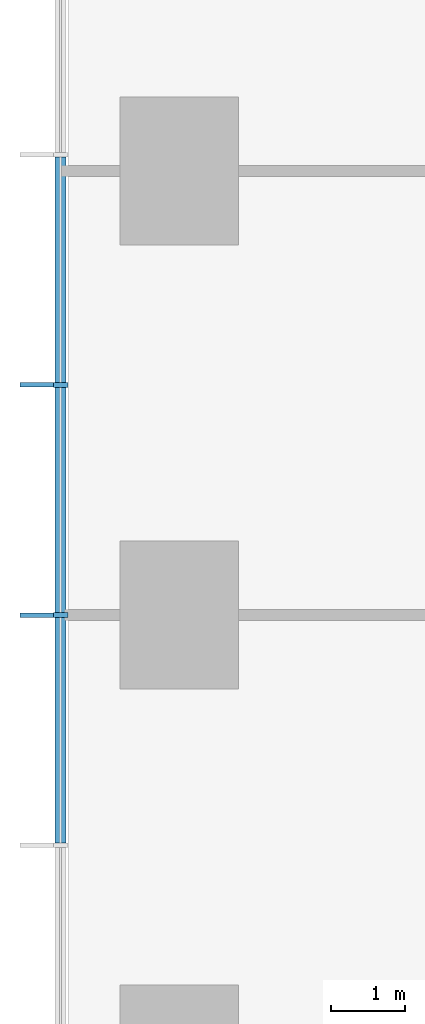
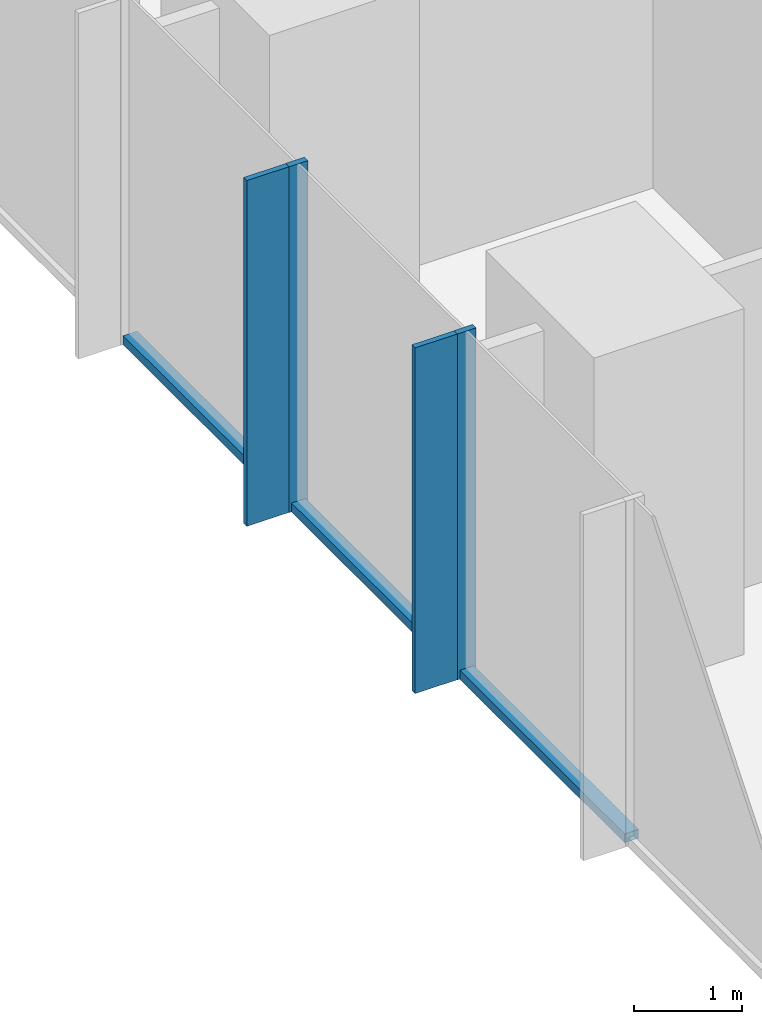
# One storey, part 3 of 12: 7 members, 1 element without a shape of its own.
"""IFC4 building model written with IfcOpenShell, lengths in metres."""

from ifc_helpers import new_model, si_unit, direction, frame, origin, origin_2d, place, context, subcontext, project, spatial, rectangle, extrude, material, layer, layer_set, material_profile, profile_set, type_object, element, aggregate, save


model = new_model("IFC4")

# Units and contexts
model_context = context("Model", 3, precision=1e-05, world=origin(), true_north=direction((0.0, 1.0)))
body_context = subcontext(model_context, "Body", "Model", "MODEL_VIEW")
ifc_project = project(units=[si_unit("LENGTHUNIT", "METRE"), si_unit("AREAUNIT", "SQUARE_METRE"), si_unit("VOLUMEUNIT", "CUBIC_METRE"), si_unit("PLANEANGLEUNIT", "RADIAN"), si_unit("MASSUNIT", "GRAM", prefix="KILO")], contexts=[model_context])

# Site, building, storey
site_placement = place(None, origin())
site = spatial("IfcSite", under=ifc_project, at=site_placement, CompositionType="ELEMENT")
building_placement = place(site_placement, origin())
building = spatial("IfcBuilding", under=site, at=building_placement, Name="Highveld Stack Headquarters", CompositionType="ELEMENT")
storey_placement = place(building_placement, frame((0.0, 0.0, 76.699951171875)))
storey = spatial("IfcBuildingStorey", under=building, at=storey_placement, Name="L18", CompositionType="ELEMENT", Elevation=76.699951171875)

# Curtain wall, members
ifc_material_1 = material(Name="Aluminium bronze anodised", Category="aluminium")
ifc_layer = layer(ifc_material_1, 0.199951171875)
ifc_layer_set = layer_set([ifc_layer], Name="Aluminium bronze anodised")
curtain_wall_type = type_object("IfcCurtainWallType", Name="CW1 TOWER UNITISED CURTAIN WALL", PredefinedType="NOTDEFINED", material=ifc_layer_set)
curtain_wall_placement = place(storey_placement, origin())
curtain_wall = element("IfcCurtainWall", 1, at=curtain_wall_placement, inside=storey, type_object=curtain_wall_type, Name="Curtain wall CW1 L18 W", PredefinedType="NOTDEFINED")
ifc_material_2 = material(Name="Aluminium bronze anodised", Category="aluminium")
ifc_material_profile_1 = material_profile(ifc_material_2, rectangle(XDim=0.449951171875, YDim=0.06005859375, at=origin_2d()), Name="FIN 450x60")
ifc_profile_set_1 = profile_set([ifc_material_profile_1], Name="Aluminium bronze anodised")
member_type_1 = type_object("IfcMemberType", Name="CW1 BRONZE FIN 450x60", PredefinedType="USERDEFINED", material=ifc_profile_set_1)
member_1_placement = place(storey_placement, frame((-19.925048828125, 9.110595703125, 0.0), z_axis=(0.0, 0.0, 1.0), x_axis=(1.0, 0.0, 0.0)))
member_1 = element("IfcMember", 2, at=member_1_placement, type_object=member_type_1, Name="CW1 fin L18 6", ObjectType="FIN", PredefinedType="USERDEFINED", context=body_context, shape_type="SweptSolid", body=[
    extrude(rectangle(XDim=0.449951171875, YDim=0.06005859375, at=origin_2d()), origin(), (0.0, 0.0, 1.0), 3.900146484375),
])
member_2_placement = place(storey_placement, frame((-19.925048828125, 6.0, 0.0), z_axis=(0.0, 0.0, 1.0), x_axis=(1.0, 0.0, 0.0)))
member_2 = element("IfcMember", 3, at=member_2_placement, type_object=member_type_1, Name="CW1 fin L18 7", ObjectType="FIN", PredefinedType="USERDEFINED", context=body_context, shape_type="SweptSolid", body=[
    extrude(rectangle(XDim=0.449951171875, YDim=0.06005859375, at=origin_2d()), origin(), (0.0, 0.0, 1.0), 3.900146484375),
])
ifc_material_3 = material(Name="Aluminium bronze anodised", Category="aluminium")
ifc_material_profile_2 = material_profile(ifc_material_3, rectangle(XDim=0.199951171875, YDim=0.06494140625, at=origin_2d()), Name="CW1 MULLION 65x200")
ifc_profile_set_2 = profile_set([ifc_material_profile_2], Name="Aluminium bronze anodised")
member_type_2 = type_object("IfcMemberType", Name="CW1 MULLION 65x200", PredefinedType="MULLION", material=ifc_profile_set_2)
member_3_placement = place(storey_placement, frame((-19.60009765625, 9.110595703125, 0.0), z_axis=(0.0, 0.0, 1.0), x_axis=(1.0, 0.0, 0.0)))
member_3 = element("IfcMember", 4, at=member_3_placement, type_object=member_type_2, Name="CW1 mullion L18 6", PredefinedType="MULLION", context=body_context, shape_type="SweptSolid", body=[
    extrude(rectangle(XDim=0.199951171875, YDim=0.06494140625, at=origin_2d()), origin(), (0.0, 0.0, 1.0), 3.900146484375),
])
member_4_placement = place(storey_placement, frame((-19.60009765625, 6.0, 0.0), z_axis=(0.0, 0.0, 1.0), x_axis=(1.0, 0.0, 0.0)))
member_4 = element("IfcMember", 5, at=member_4_placement, type_object=member_type_2, Name="CW1 mullion L18 7", PredefinedType="MULLION", context=body_context, shape_type="SweptSolid", body=[
    extrude(rectangle(XDim=0.199951171875, YDim=0.06494140625, at=origin_2d()), origin(), (0.0, 0.0, 1.0), 3.900146484375),
])
ifc_material_4 = material(Name="Aluminium bronze anodised", Category="aluminium")
ifc_material_profile_3 = material_profile(ifc_material_4, rectangle(XDim=0.14990234375, YDim=0.10009765625, at=origin_2d()), Name="CW1 TRANSOM 150x100")
ifc_profile_set_3 = profile_set([ifc_material_profile_3], Name="Aluminium bronze anodised")
member_type_3 = type_object("IfcMemberType", Name="CW1 STACK TRANSOM 150x100", PredefinedType="USERDEFINED", material=ifc_profile_set_3)
member_5_placement = place(storey_placement, frame((-19.60009765625, 12.1884765625, 0.050048828125), z_axis=(0.0, -1.0, 0.0), x_axis=(1.0, 0.0, 0.0)))
member_5 = element("IfcMember", 6, at=member_5_placement, type_object=member_type_3, Name="CW1 transom L18 5.1", ObjectType="TRANSOM", PredefinedType="USERDEFINED", context=body_context, shape_type="SweptSolid", body=[
    extrude(rectangle(XDim=0.14990234375, YDim=0.10009765625, at=origin_2d()), origin(), (0.0, 0.0, 1.0), 3.04541015625),
])
member_6_placement = place(storey_placement, frame((-19.60009765625, 9.077880859375, 0.050048828125), z_axis=(0.0, -1.0, 0.0), x_axis=(1.0, 0.0, 0.0)))
member_6 = element("IfcMember", 7, at=member_6_placement, type_object=member_type_3, Name="CW1 transom L18 6.1", ObjectType="TRANSOM", PredefinedType="USERDEFINED", context=body_context, shape_type="SweptSolid", body=[
    extrude(rectangle(XDim=0.14990234375, YDim=0.10009765625, at=origin_2d()), origin(), (0.0, 0.0, 1.0), 3.04541015625),
])
member_7_placement = place(storey_placement, frame((-19.60009765625, 5.967529296875, 0.050048828125), z_axis=(0.0, -1.0, 0.0), x_axis=(1.0, 0.0, 0.0)))
member_7 = element("IfcMember", 8, at=member_7_placement, type_object=member_type_3, Name="CW1 transom L18 7.1", ObjectType="TRANSOM", PredefinedType="USERDEFINED", context=body_context, shape_type="SweptSolid", body=[
    extrude(rectangle(XDim=0.14990234375, YDim=0.10009765625, at=origin_2d()), origin(), (0.0, 0.0, 1.0), 3.04541015625),
])
aggregate(curtain_wall, [member_3, member_1, member_4, member_2, member_5, member_6, member_7])

save(model, "model.ifc")
